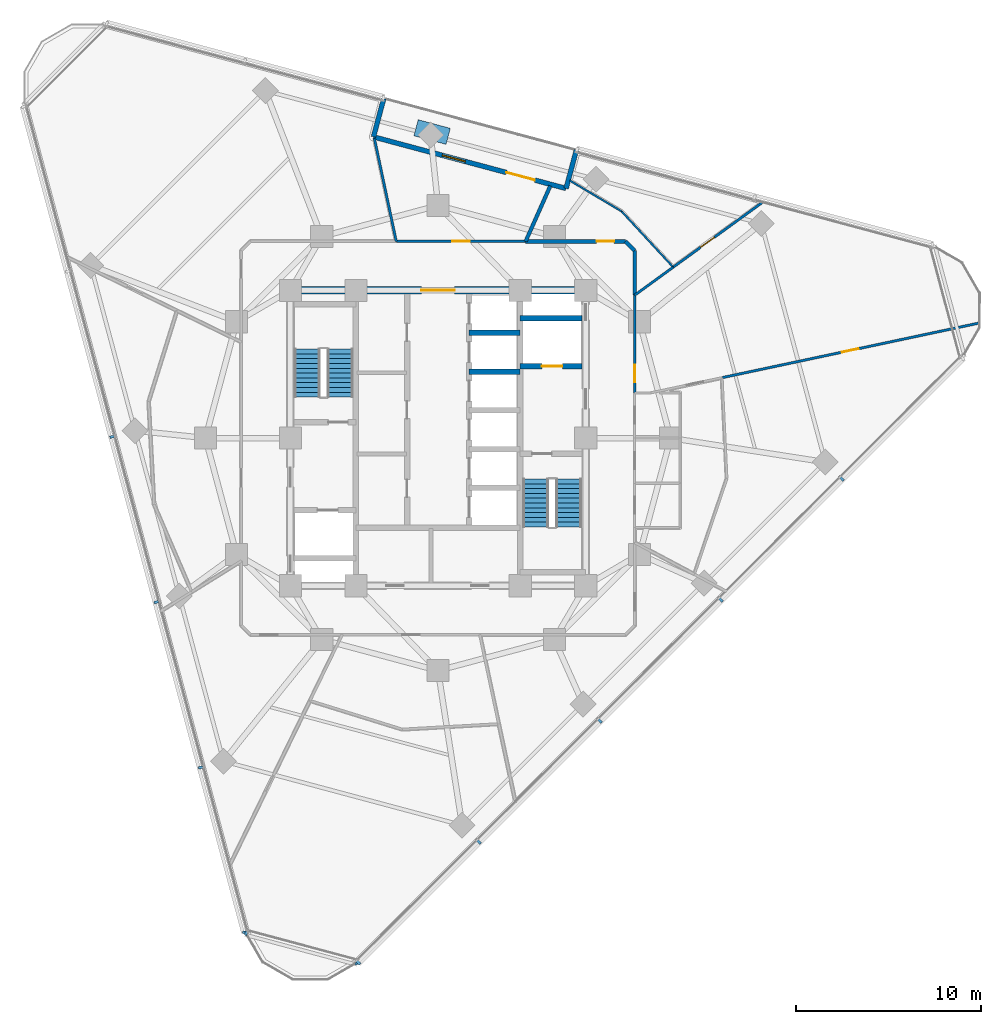
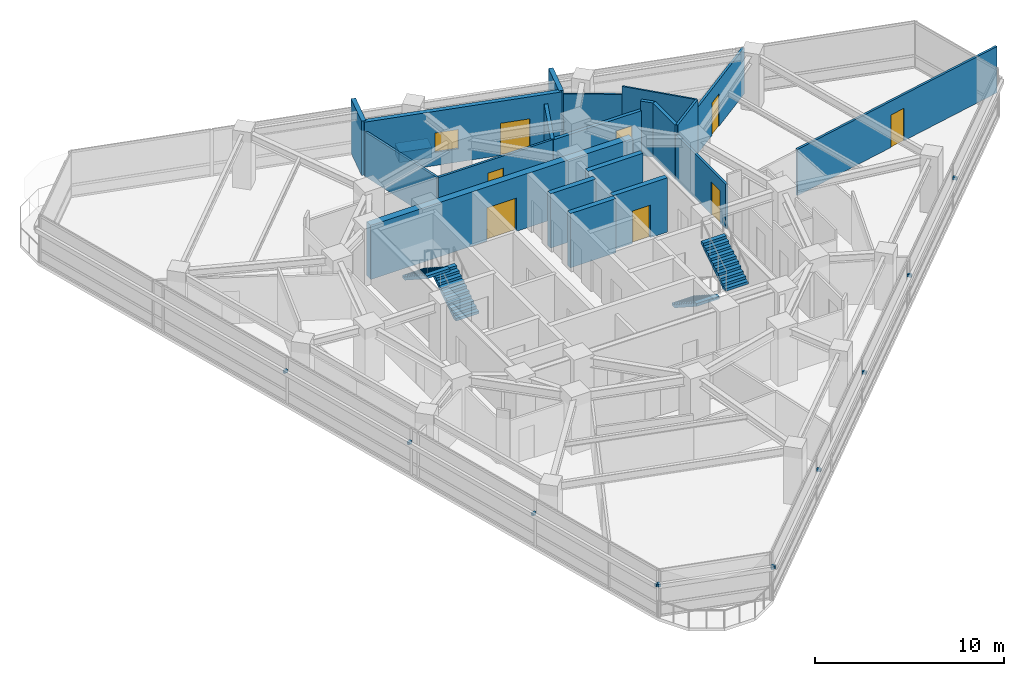
# One storey, part 9 of 14: 20 walls, 12 discrete accessories, 8 doors, 4 stair flights, 1 window, 9 openings, 2 elements without a shape of their own.
"""IFC4 building model written with IfcOpenShell, lengths in metres."""

from ifc_helpers import new_model, si_unit, direction, frame, frame_2d, origin, origin_2d, place, context, subcontext, project, spatial, polyline, rectangle, outline, extrude, material, layer, layer_set, type_object, element, fill, aggregate, save


model = new_model("IFC4")

# Units and contexts
model_context = context("Model", 3, precision=1e-05, world=origin(), true_north=direction((0.0, 1.0)))
body_context = subcontext(model_context, "Body", "Model", "MODEL_VIEW")
ifc_project = project(units=[si_unit("LENGTHUNIT", "METRE"), si_unit("AREAUNIT", "SQUARE_METRE"), si_unit("VOLUMEUNIT", "CUBIC_METRE"), si_unit("PLANEANGLEUNIT", "RADIAN"), si_unit("MASSUNIT", "GRAM", prefix="KILO")], contexts=[model_context])

# Site, building, storey
site_placement = place(None, origin())
site = spatial("IfcSite", under=ifc_project, at=site_placement, CompositionType="ELEMENT")
building_placement = place(site_placement, origin())
building = spatial("IfcBuilding", under=site, at=building_placement, Name="Terralouvre Media Tower", CompositionType="ELEMENT")
storey_placement = place(building_placement, frame((0.0, 0.0, 191.60009765625)))
storey = spatial("IfcBuildingStorey", under=building, at=storey_placement, Name="L49", CompositionType="ELEMENT", Elevation=191.60009765625)

# Wall, opening, door
ifc_material_1 = material(Name="Concrete C50/60", Category="concrete")
ifc_layer_1 = layer(ifc_material_1, 0.300048828125, Name="Core Internal Shaft Wall CW-300")
ifc_layer_set_1 = layer_set([ifc_layer_1], Name="Concrete C50/60")
wall_type_1 = type_object("IfcWallType", Name="Core Internal Shaft Wall CW-300", PredefinedType="SHEAR", material=ifc_layer_set_1)
wall_1_placement = place(storey_placement, frame((4.449951171875, 3.89990234375, 0.0), z_axis=(0.0, 0.0, 1.0), x_axis=(1.0, 0.0, 0.0)))
wall_1 = element("IfcWall", 1, at=wall_1_placement, inside=storey, type_object=wall_type_1, Name="L49 Core Shaft Wall FF2S", PredefinedType="SHEAR", context=body_context, shape_type="SweptSolid", body=[
    extrude(rectangle(XDim=3.340087890625, YDim=0.300048828125, at=frame_2d((1.669921875, 0.0))), origin(), (0.0, 0.0, 1.0), 3.5),
])
opening_1_placement = place(wall_1_placement, frame((1.179931640625, 0.0, 0.0)))
opening_1 = element("IfcOpeningElement", 2, at=opening_1_placement, cuts=wall_1, Name="Opening LD-FF", PredefinedType="OPENING", context=body_context, shape_type="SweptSolid", body=[
    extrude(rectangle(XDim=1.10009765625, YDim=2.10009765625, at=frame_2d((0.550048828125, 1.050048828125))), frame((0.0, 0.159912109375, 0.0), z_axis=(0.0, -1.0, 0.0), x_axis=(1.0, 0.0, 0.0)), (0.0, 0.0, 1.0), 0.320068359375),
])
ifc_material_2 = material(Name="Stainless steel 316 handrail and balustrade", Category="steel")
door_type_1 = type_object("IfcDoorType", Name="Firefighting Lift Sliding Landing Door LD-FF", OperationType="SLIDING_TO_LEFT", PredefinedType="DOOR", material=ifc_material_2)
door_1_placement = place(opening_1_placement, origin())
door_1 = element("IfcDoor", 3, at=door_1_placement, inside=storey, type_object=door_type_1, Name="L49 Firefighting Lift FFL-02 Landing Door", OperationType="SLIDING_TO_LEFT", OverallHeight=2.10009765625, OverallWidth=1.10009765625, PredefinedType="DOOR", context=body_context, shape_type="SweptSolid", body=[
    extrude(rectangle(XDim=1.10009765625, YDim=2.10009765625, at=frame_2d((0.550048828125, 1.050048828125))), frame((0.0, 0.02490234375, 0.0), z_axis=(0.0, -1.0, 0.0), x_axis=(1.0, 0.0, 0.0)), (0.0, 0.0, 1.0), 0.050048828125),
])
fill(opening_1, door_1)

# Walls
wall_2_placement = place(storey_placement, frame((4.449951171875, 6.5, 0.0), z_axis=(0.0, 0.0, 1.0), x_axis=(1.0, 0.0, 0.0)))
element("IfcWall", 4, at=wall_2_placement, inside=storey, type_object=wall_type_1, Name="L49 Core Shaft Wall FF2N", PredefinedType="SHEAR", context=body_context, shape_type="SweptSolid", body=[
    extrude(rectangle(XDim=3.340087890625, YDim=0.300048828125, at=frame_2d((1.669921875, 0.0))), origin(), (0.0, 0.0, 1.0), 3.5),
])
for number, where, z_axis, x_axis, name in (
    (5, (1.679931640625, 3.60009765625, 0.0), (0.0, 0.0, 1.0), (1.0, 0.0, 0.0), "L49 Core Shaft Wall PLMD1"),
    (6, (1.679931640625, 5.699951171875, 0.0), (0.0, 0.0, 1.0), (1.0, 0.0, 0.0), "L49 Core Shaft Wall PLMD2"),
):
    element("IfcWall", number, at=place(storey_placement, frame(where, z_axis=z_axis, x_axis=x_axis)), inside=storey, type_object=wall_type_1, Name=name, PredefinedType="SHEAR", context=body_context, shape_type="SweptSolid", body=[
        extrude(rectangle(XDim=2.77001953125, YDim=0.300048828125, at=frame_2d((1.385009765625, 0.0))), origin(), (0.0, 0.0, 1.0), 3.5),
    ])

# Wall, opening, door
ifc_material_3 = material(Name="Concrete C60/75", Category="concrete")
ifc_layer_2 = layer(ifc_material_3, 0.419921875, Name="Core Reinforced Concrete Shear Wall CW-420")
ifc_layer_set_2 = layer_set([ifc_layer_2], Name="Concrete C60/75")
wall_type_2 = type_object("IfcWallType", Name="Core Reinforced Concrete Shear Wall CW-420", PredefinedType="SHEAR", material=ifc_layer_set_2)
wall_3_placement = place(storey_placement, frame((-8.0, 8.0, 0.0), z_axis=(0.0, 0.0, 1.0), x_axis=(1.0, 0.0, 0.0)))
wall_3 = element("IfcWall", 7, at=wall_3_placement, inside=storey, type_object=wall_type_2, Name="L49 N Core Shear Wall", PredefinedType="SHEAR", context=body_context, shape_type="SweptSolid", body=[
    extrude(rectangle(XDim=16.0, YDim=0.419921875, at=frame_2d((8.0, 0.0))), origin(), (0.0, 0.0, 1.0), 3.5),
])
opening_2_placement = place(wall_3_placement, frame((7.10009765625, 0.0, 0.0)))
opening_2 = element("IfcOpeningElement", 8, at=opening_2_placement, cuts=wall_3, Name="Opening FD-03", PredefinedType="OPENING", context=body_context, shape_type="SweptSolid", body=[
    extrude(rectangle(XDim=1.800048828125, YDim=2.14990234375, at=frame_2d((0.89990234375, 1.074951171875))), frame((0.0, 0.219970703125, 0.0), z_axis=(0.0, -1.0, 0.0), x_axis=(1.0, 0.0, 0.0)), (0.0, 0.0, 1.0), 0.43994140625),
])
ifc_material_4 = material(Name="Galvanised steel fire-resisting leaf", Category="steel")
door_type_2 = type_object("IfcDoorType", Name="Corridor Smoke-Control Double Door FD-03", OperationType="DOUBLE_DOOR_SINGLE_SWING", PredefinedType="DOOR", material=ifc_material_4)
door_2_placement = place(opening_2_placement, origin())
door_2 = element("IfcDoor", 9, at=door_2_placement, inside=storey, type_object=door_type_2, Name="L49 Central Lift Lobby Portal Door", OperationType="DOUBLE_DOOR_SINGLE_SWING", OverallHeight=2.14990234375, OverallWidth=1.800048828125, PredefinedType="DOOR", context=body_context, shape_type="SweptSolid", body=[
    extrude(rectangle(XDim=1.800048828125, YDim=2.14990234375, at=frame_2d((0.89990234375, 1.074951171875))), frame((0.0, 0.02490234375, 0.0), z_axis=(0.0, -1.0, 0.0), x_axis=(1.0, 0.0, 0.0)), (0.0, 0.0, 1.0), 0.050048828125),
])
fill(opening_2, door_2)

# Walls
ifc_material_5 = material(Name="Low-iron laminated double glazing with solar-control coating", Category="glass")
ifc_layer_3 = layer(ifc_material_5, 0.10009765625, Name="Demountable Glazed Office Partition PT-GL100")
ifc_layer_set_3 = layer_set([ifc_layer_3], Name="Low-iron laminated double glazing with solar-control coating")
wall_type_3 = type_object("IfcWallType", Name="Demountable Glazed Office Partition PT-GL100", PredefinedType="MOVABLE", material=ifc_layer_set_3)
wall_4_placement = place(storey_placement, frame((7.133544921875, 13.9501953125, 0.0), z_axis=(0.0, 0.0, 1.0), x_axis=(0.859456962413, -0.511208108074, 0.0)))
element("IfcWall", 10, at=wall_4_placement, inside=storey, type_object=wall_type_3, Name="L49 Interior Partition 049", PredefinedType="MOVABLE", context=body_context, shape_type="SweptSolid", body=[
    extrude(rectangle(XDim=3.26904296875, YDim=0.10009765625, at=frame_2d((1.634521484375, 0.0))), origin(), (0.0, 0.0, 1.0), 2.98486328125),
])
wall_5_placement = place(storey_placement, frame((9.943115234375, 12.279052734375, 0.0), z_axis=(0.0, 0.0, 1.0), x_axis=(0.678723214903, -0.734394170423, 0.0)))
element("IfcWall", 11, at=wall_5_placement, inside=storey, type_object=wall_type_3, Name="L49 Interior Partition 050", PredefinedType="MOVABLE", context=body_context, shape_type="SweptSolid", body=[
    extrude(rectangle(XDim=4.117919921875, YDim=0.10009765625, at=frame_2d((2.05908203125, 0.0))), origin(), (0.0, 0.0, 1.0), 3.5),
])
ifc_material_6 = material(Name="Fire-rated gypsum board drywall partition")
ifc_layer_4 = layer(ifc_material_6, 0.199951171875, Name="Fire-Rated Shaft and Lobby Partition FW-200")
ifc_layer_set_4 = layer_set([ifc_layer_4], Name="Fire-rated gypsum board drywall partition")
wall_type_4 = type_object("IfcWallType", Name="Fire-Rated Shaft and Lobby Partition FW-200", PredefinedType="SOLIDWALL", material=ifc_layer_set_4)
wall_6_placement = place(storey_placement, frame((10.64990234375, 7.738037109375, 0.0), z_axis=(0.0, 0.0, 1.0), x_axis=(0.0, 1.0, 0.0)))
element("IfcWall", 12, at=wall_6_placement, inside=storey, type_object=wall_type_4, Name="L49 Interior Partition 014", PredefinedType="SOLIDWALL", context=body_context, shape_type="SweptSolid", body=[
    extrude(rectangle(XDim=2.411865234375, YDim=0.199951171875, at=frame_2d((1.2060546875, 0.0))), origin(), (0.0, 0.0, 1.0), 3.5),
])
wall_7_placement = place(storey_placement, frame((10.64990234375, 10.14990234375, 0.0), z_axis=(0.0, 0.0, 1.0), x_axis=(-0.707106781187, 0.707106781187, 0.0)))
element("IfcWall", 13, at=wall_7_placement, inside=storey, type_object=wall_type_4, Name="L49 Interior Partition 015", PredefinedType="SOLIDWALL", context=body_context, shape_type="SweptSolid", body=[
    extrude(rectangle(XDim=0.70703125, YDim=0.199951171875, at=frame_2d((0.353515625, 0.0))), origin(), (0.0, 0.0, 1.0), 3.5),
])

# Wall, opening, door
wall_8_placement = place(storey_placement, frame((10.14990234375, 10.64990234375, 0.0), z_axis=(0.0, 0.0, 1.0), x_axis=(-1.0, 0.0, 0.0)))
wall_8 = element("IfcWall", 14, at=wall_8_placement, inside=storey, type_object=wall_type_4, Name="L49 Interior Partition 016", PredefinedType="SOLIDWALL", context=body_context, shape_type="SweptSolid", body=[
    extrude(rectangle(XDim=5.407958984375, YDim=0.199951171875, at=frame_2d((2.7041015625, 0.0))), origin(), (0.0, 0.0, 1.0), 2.885009765625),
])
opening_3_placement = place(wall_8_placement, frame((0.606689453125, 0.0, 0.0)))
opening_3 = element("IfcOpeningElement", 15, at=opening_3_placement, cuts=wall_8, Name="Opening FD-02-95X210", PredefinedType="OPENING", context=body_context, shape_type="SweptSolid", body=[
    extrude(rectangle(XDim=0.949951171875, YDim=2.10009765625, at=frame_2d((0.47509765625, 1.050048828125))), frame((0.0, 0.10986328125, 0.0), z_axis=(0.0, -1.0, 0.0), x_axis=(1.0, 0.0, 0.0)), (0.0, 0.0, 1.0), 0.219970703125),
])
ifc_material_7 = material(Name="Galvanised steel fire-resisting leaf", Category="steel")
door_type_3 = type_object("IfcDoorType", Name="Plant and Riser Fire Door FD-02 (950x2100)", OperationType="NOTDEFINED", PredefinedType="DOOR", material=ifc_material_7)
door_3_placement = place(opening_3_placement, origin())
door_3 = element("IfcDoor", 16, at=door_3_placement, inside=storey, type_object=door_type_3, Name="L49 Amplifier Rack Switch Room 10 Door", OperationType="SINGLE_SWING_RIGHT", OverallHeight=2.10009765625, OverallWidth=0.949951171875, PredefinedType="DOOR", context=body_context, shape_type="SweptSolid", body=[
    extrude(rectangle(XDim=0.949951171875, YDim=2.10009765625, at=frame_2d((0.47509765625, 1.050048828125))), frame((0.0, 0.02490234375, 0.0), z_axis=(0.0, -1.0, 0.0), x_axis=(1.0, 0.0, 0.0)), (0.0, 0.0, 1.0), 0.050048828125),
])
fill(opening_3, door_3)

# Wall
wall_9_placement = place(storey_placement, frame((6.08349609375, 13.6640625, 0.0), z_axis=(0.0, 0.0, 1.0), x_axis=(-0.406625887871, -0.913594760993, 0.0)))
element("IfcWall", 17, at=wall_9_placement, inside=storey, type_object=wall_type_4, Name="L49 Interior Partition 051", PredefinedType="SOLIDWALL", context=body_context, shape_type="SweptSolid", body=[
    extrude(rectangle(XDim=3.29931640625, YDim=0.199951171875, at=frame_2d((1.649658203125, 0.0))), origin(), (0.0, 0.0, 1.0), 2.885009765625),
])

# Wall, opening, door
ifc_material_8 = material(Name="Fire-rated gypsum board drywall partition")
ifc_layer_5 = layer(ifc_material_8, 0.135009765625, Name="Newsroom Acoustic Partition PT-135")
ifc_layer_set_5 = layer_set([ifc_layer_5], Name="Fire-rated gypsum board drywall partition")
wall_type_5 = type_object("IfcWallType", Name="Newsroom Acoustic Partition PT-135", PredefinedType="PARTITIONING", material=ifc_layer_set_5)
wall_10_placement = place(storey_placement, frame((10.64990234375, 2.449951171875, 0.0), z_axis=(0.0, 0.0, 1.0), x_axis=(0.0, 1.0, 0.0)))
wall_10 = element("IfcWall", 18, at=wall_10_placement, inside=storey, type_object=wall_type_5, Name="L49 Interior Partition 013", PredefinedType="PARTITIONING", context=body_context, shape_type="SweptSolid", body=[
    extrude(rectangle(XDim=5.2880859375, YDim=0.135009765625, at=frame_2d((2.64404296875, 0.0))), origin(), (0.0, 0.0, 1.0), 2.885009765625),
])
opening_4_placement = place(wall_10_placement, frame((0.58251953125, 0.0, 0.0)))
opening_4 = element("IfcOpeningElement", 19, at=opening_4_placement, cuts=wall_10, Name="Opening ID-02-95X210", PredefinedType="OPENING", context=body_context, shape_type="SweptSolid", body=[
    extrude(rectangle(XDim=0.949951171875, YDim=2.10009765625, at=frame_2d((0.47509765625, 1.050048828125))), frame((0.0, 0.077392578125, 0.0), z_axis=(0.0, -1.0, 0.0), x_axis=(1.0, 0.0, 0.0)), (0.0, 0.0, 1.0), 0.155029296875),
])
ifc_material_9 = material(Name="Engineered hardwood acoustic timber leaf", Category="wood")
door_type_4 = type_object("IfcDoorType", Name="Office and Meeting Room Door ID-02 (950x2100)", OperationType="NOTDEFINED", PredefinedType="DOOR", material=ifc_material_9)
door_4_placement = place(opening_4_placement, origin())
door_4 = element("IfcDoor", 20, at=door_4_placement, inside=storey, type_object=door_type_4, Name="L49 Audio Tape Archive Storage 8 Door", OperationType="SINGLE_SWING_LEFT", OverallHeight=2.10009765625, OverallWidth=0.949951171875, PredefinedType="DOOR", context=body_context, shape_type="SweptSolid", body=[
    extrude(rectangle(XDim=0.949951171875, YDim=2.10009765625, at=frame_2d((0.47509765625, 1.050048828125))), frame((0.0, 0.02490234375, 0.0), z_axis=(0.0, -1.0, 0.0), x_axis=(1.0, 0.0, 0.0)), (0.0, 0.0, 1.0), 0.050048828125),
])
fill(opening_4, door_4)

wall_11_placement = place(storey_placement, frame((4.741943359375, 10.64990234375, 0.0), z_axis=(0.0, 0.0, 1.0), x_axis=(-1.0, 0.0, 0.0)))
wall_11 = element("IfcWall", 21, at=wall_11_placement, inside=storey, type_object=wall_type_5, Name="L49 Interior Partition 017", PredefinedType="PARTITIONING", context=body_context, shape_type="SweptSolid", body=[
    extrude(rectangle(XDim=7.005859375, YDim=0.135009765625, at=frame_2d((3.5029296875, 0.0))), origin(), (0.0, 0.0, 1.0), 2.885009765625),
])
opening_5_placement = place(wall_11_placement, frame((3.028076171875, 0.0, 0.0)))
opening_5 = element("IfcOpeningElement", 22, at=opening_5_placement, cuts=wall_11, Name="Opening ID-02-95X210", PredefinedType="OPENING", context=body_context, shape_type="SweptSolid", body=[
    extrude(rectangle(XDim=0.949951171875, YDim=2.10009765625, at=frame_2d((0.47509765625, 1.050048828125))), frame((0.0, 0.077392578125, 0.0), z_axis=(0.0, -1.0, 0.0), x_axis=(1.0, 0.0, 0.0)), (0.0, 0.0, 1.0), 0.155029296875),
])
door_5_placement = place(opening_5_placement, origin())
door_5 = element("IfcDoor", 23, at=door_5_placement, inside=storey, type_object=door_type_4, Name="L49 Editorial Collaborative Open Office 11 Door", OperationType="SINGLE_SWING_LEFT", OverallHeight=2.10009765625, OverallWidth=0.949951171875, PredefinedType="DOOR", context=body_context, shape_type="SweptSolid", body=[
    extrude(rectangle(XDim=0.949951171875, YDim=2.10009765625, at=frame_2d((0.47509765625, 1.050048828125))), frame((0.0, 0.02490234375, 0.0), z_axis=(0.0, -1.0, 0.0), x_axis=(1.0, 0.0, 0.0)), (0.0, 0.0, 1.0), 0.050048828125),
])
fill(opening_5, door_5)

wall_12_placement = place(storey_placement, frame((29.2705078125, 6.221435546875, 0.0), z_axis=(0.0, 0.0, 1.0), x_axis=(-0.978151114267, -0.207895160259, 0.0)))
wall_12 = element("IfcWall", 24, at=wall_12_placement, inside=storey, type_object=wall_type_5, Name="L49 Interior Partition 045", PredefinedType="PARTITIONING", context=body_context, shape_type="SweptSolid", body=[
    extrude(rectangle(XDim=14.19677734375, YDim=0.135009765625, at=frame_2d((7.098388671875, 0.0))), origin(), (0.0, 0.0, 1.0), 2.98486328125),
])
opening_6_placement = place(wall_12_placement, frame((6.638427734375, 0.0, 0.0)))
opening_6 = element("IfcOpeningElement", 25, at=opening_6_placement, cuts=wall_12, Name="Opening ID-03-92X210", PredefinedType="OPENING", context=body_context, shape_type="SweptSolid", body=[
    extrude(rectangle(XDim=0.919921875, YDim=2.10009765625, at=frame_2d((0.4599609375, 1.050048828125))), frame((0.0, 0.077392578125, 0.0), z_axis=(0.0, -1.0, 0.0), x_axis=(1.0, 0.0, 0.0)), (0.0, 0.0, 1.0), 0.155029296875),
])
ifc_material_10 = material(Name="Engineered hardwood acoustic timber leaf", Category="wood")
door_type_5 = type_object("IfcDoorType", Name="Accessible Restroom and Suite Door ID-03 (920x2100)", OperationType="NOTDEFINED", PredefinedType="DOOR", material=ifc_material_10)
door_6_placement = place(opening_6_placement, origin())
door_6 = element("IfcDoor", 26, at=door_6_placement, inside=storey, type_object=door_type_5, Name="L49 Microphone Locker Store 7 Door", OperationType="SINGLE_SWING_LEFT", OverallHeight=2.10009765625, OverallWidth=0.919921875, PredefinedType="DOOR", context=body_context, shape_type="SweptSolid", body=[
    extrude(rectangle(XDim=0.919921875, YDim=2.10009765625, at=frame_2d((0.4599609375, 1.050048828125))), frame((0.0, 0.02490234375, 0.0), z_axis=(0.0, -1.0, 0.0), x_axis=(1.0, 0.0, 0.0)), (0.0, 0.0, 1.0), 0.050048828125),
])
fill(opening_6, door_6)

wall_13_placement = place(storey_placement, frame((17.616943359375, 12.799560546875, 0.0), z_axis=(0.0, 0.0, 1.0), x_axis=(-0.809021342768, -0.587779267196, 0.0)))
wall_13 = element("IfcWall", 27, at=wall_13_placement, inside=storey, type_object=wall_type_5, Name="L49 Interior Partition 047", PredefinedType="PARTITIONING", context=body_context, shape_type="SweptSolid", body=[
    extrude(rectangle(XDim=6.030517578125, YDim=0.135009765625, at=frame_2d((3.01513671875, 0.0))), origin(), (0.0, 0.0, 1.0), 2.98486328125),
])
opening_7_placement = place(wall_13_placement, frame((3.279052734375, 0.0, 0.0)))
opening_7 = element("IfcOpeningElement", 28, at=opening_7_placement, cuts=wall_13, Name="Opening ID-03-92X210", PredefinedType="OPENING", context=body_context, shape_type="SweptSolid", body=[
    extrude(rectangle(XDim=0.919921875, YDim=2.10009765625, at=frame_2d((0.4599609375, 1.050048828125))), frame((0.0, 0.077392578125, 0.0), z_axis=(0.0, -1.0, 0.0), x_axis=(1.0, 0.0, 0.0)), (0.0, 0.0, 1.0), 0.155029296875),
])
door_7_placement = place(opening_7_placement, origin())
door_7 = element("IfcDoor", 29, at=door_7_placement, inside=storey, type_object=door_type_5, Name="L49 Program Schedule Briefing Room 9 Door", OperationType="SINGLE_SWING_RIGHT", OverallHeight=2.10009765625, OverallWidth=0.919921875, PredefinedType="DOOR", context=body_context, shape_type="SweptSolid", body=[
    extrude(rectangle(XDim=0.919921875, YDim=2.10009765625, at=frame_2d((0.4599609375, 1.050048828125))), frame((0.0, 0.02490234375, 0.0), z_axis=(0.0, -1.0, 0.0), x_axis=(1.0, 0.0, 0.0)), (0.0, 0.0, 1.0), 0.050048828125),
])
fill(opening_7, door_7)

# Walls
wall_14_placement = place(storey_placement, frame((12.738037109375, 9.2548828125, 0.0), z_axis=(0.0, 0.0, 1.0), x_axis=(-0.809067292609, -0.587716016483, 0.0)))
element("IfcWall", 30, at=wall_14_placement, inside=storey, type_object=wall_type_5, Name="L49 Interior Partition 048", PredefinedType="PARTITIONING", context=body_context, shape_type="SweptSolid", body=[
    extrude(rectangle(XDim=2.580810546875, YDim=0.135009765625, at=frame_2d((1.29052734375, 0.0))), origin(), (0.0, 0.0, 1.0), 3.5),
])
wall_15_placement = place(storey_placement, frame((-3.447265625, 16.2177734375, 0.0), z_axis=(0.0, 0.0, 1.0), x_axis=(0.207888507592, -0.978152528193, 0.0)))
element("IfcWall", 31, at=wall_15_placement, inside=storey, type_object=wall_type_5, Name="L49 Interior Partition 052", PredefinedType="PARTITIONING", context=body_context, shape_type="SweptSolid", body=[
    extrude(rectangle(XDim=5.692138671875, YDim=0.135009765625, at=frame_2d((2.84619140625, 0.0))), origin(), (0.0, 0.0, 1.0), 2.885009765625),
])

# Wall, openings, window, door
ifc_material_11 = material(Name="Kiln-fired architectural terracotta rainscreen cladding", Category="masonry")
ifc_layer_6 = layer(ifc_material_11, 0.260009765625, Name="Recessed Sky-Garden Acoustic Wall EW-SG260")
ifc_layer_set_6 = layer_set([ifc_layer_6], Name="Kiln-fired architectural terracotta rainscreen cladding")
wall_type_6 = type_object("IfcWallType", Name="Recessed Sky-Garden Acoustic Wall EW-SG260", PredefinedType="SOLIDWALL", material=ifc_layer_set_6)
wall_16_placement = place(storey_placement, frame((6.935302734375, 13.5185546875, 0.0), z_axis=(0.0, 0.0, 1.0), x_axis=(-0.965922825334, 0.258830244561, 0.0)))
wall_16 = element("IfcWall", 32, at=wall_16_placement, inside=storey, type_object=wall_type_6, Name="L49 SG Recessed Loggia Back Wall", PredefinedType="SOLIDWALL", context=body_context, shape_type="SweptSolid", body=[
    extrude(rectangle(XDim=10.800048828125, YDim=0.260009765625, at=frame_2d((5.39990234375, 0.0))), origin(), (0.0, 0.0, 1.0), 3.5),
])
opening_8_placement = place(wall_16_placement, frame((1.75, 0.0, 0.0)))
opening_8 = element("IfcOpeningElement", 33, at=opening_8_placement, cuts=wall_16, Name="Opening TD-01", PredefinedType="OPENING", context=body_context, shape_type="SweptSolid", body=[
    extrude(rectangle(XDim=1.60009765625, YDim=2.080078125, at=frame_2d((0.800048828125, 1.0400390625))), frame((0.0, 0.139892578125, 0.0), z_axis=(0.0, -1.0, 0.0), x_axis=(1.0, 0.0, 0.0)), (0.0, 0.0, 1.0), 0.280029296875),
])
opening_9_placement = place(wall_16_placement, frame((5.64990234375, 0.0, 0.85009765625)))
opening_9 = element("IfcOpeningElement", 34, at=opening_9_placement, cuts=wall_16, Name="Opening W-03", PredefinedType="OPENING", context=body_context, shape_type="SweptSolid", body=[
    extrude(rectangle(XDim=1.300048828125, YDim=1.25, at=frame_2d((0.64990234375, 0.625))), frame((0.0, 0.139892578125, 0.0), z_axis=(0.0, -1.0, 0.0), x_axis=(1.0, 0.0, 0.0)), (0.0, 0.0, 1.0), 0.280029296875),
])
ifc_material_12 = material(Name="Low-iron laminated double glazing with solar-control coating", Category="glass")
window_type = type_object("IfcWindowType", Name="Sky-Garden Loggia Window W-03", PartitioningType="SINGLE_PANEL", PredefinedType="WINDOW", material=ifc_material_12)
window_placement = place(opening_9_placement, origin())
window = element("IfcWindow", 35, at=window_placement, inside=storey, type_object=window_type, Name="L49 Pocket Loggia Window 1", OverallHeight=1.25, OverallWidth=1.300048828125, PartitioningType="SINGLE_PANEL", PredefinedType="WINDOW", context=body_context, shape_type="SweptSolid", body=[
    extrude(rectangle(XDim=1.300048828125, YDim=1.25, at=frame_2d((0.64990234375, 0.625))), frame((0.0, 0.030029296875, 0.0), z_axis=(0.0, -1.0, 0.0), x_axis=(1.0, 0.0, 0.0)), (0.0, 0.0, 1.0), 0.06005859375),
])
fill(opening_9, window)
ifc_material_13 = material(Name="Anodised extruded aluminium 6063-T6", Category="aluminium")
door_type_6 = type_object("IfcDoorType", Name="Sky-Garden Terrace Double Door TD-01", OperationType="DOUBLE_DOOR_SLIDING", PredefinedType="DOOR", material=ifc_material_13)
door_8_placement = place(opening_8_placement, frame((1.60009765625, 0.0, 0.0), z_axis=(0.0, 0.0, 1.0), x_axis=(-1.0, 0.0, 0.0)))
door_8 = element("IfcDoor", 36, at=door_8_placement, inside=storey, type_object=door_type_6, Name="L49 Sky-Garden Terrace Door", OperationType="DOUBLE_DOOR_SLIDING", OverallHeight=2.080078125, OverallWidth=1.60009765625, PredefinedType="DOOR", context=body_context, shape_type="SweptSolid", body=[
    extrude(rectangle(XDim=1.60009765625, YDim=2.080078125, at=frame_2d((0.800048828125, 1.0400390625))), frame((0.0, 0.02490234375, 0.0), z_axis=(0.0, -1.0, 0.0), x_axis=(1.0, 0.0, 0.0)), (0.0, 0.0, 1.0), 0.050048828125),
])
fill(opening_8, door_8)

# Walls
wall_17_placement = place(storey_placement, frame((7.49169921875, 15.595458984375, 0.0), z_axis=(0.0, 0.0, 1.0), x_axis=(-0.258772030677, -0.96593842254, 0.0)))
element("IfcWall", 37, at=wall_17_placement, inside=storey, type_object=wall_type_6, Name="L49 SG Pocket Left Cheek Wall", PredefinedType="SOLIDWALL", context=body_context, shape_type="SweptSolid", body=[
    extrude(rectangle(XDim=2.150146484375, YDim=0.260009765625, at=frame_2d((1.0751953125, 0.0))), origin(), (0.0, 0.0, 1.0), 3.5),
])
wall_18_placement = place(storey_placement, frame((-3.496826171875, 16.31396484375, 0.0), z_axis=(0.0, 0.0, 1.0), x_axis=(0.258800415469, 0.965930817892, 0.0)))
element("IfcWall", 38, at=wall_18_placement, inside=storey, type_object=wall_type_6, Name="L49 SG Pocket Right Cheek Wall", PredefinedType="SOLIDWALL", context=body_context, shape_type="SweptSolid", body=[
    extrude(rectangle(XDim=2.14990234375, YDim=0.260009765625, at=frame_2d((1.074951171875, 0.0))), origin(), (0.0, 0.0, 1.0), 3.5),
])

# Stair, stair flights
ifc_material_14 = material(Name="Concrete C45/55", Category="concrete")
stair_type_1 = type_object("IfcStairType", Name="Dogleg Stair Assembly ST-01", PredefinedType="HALF_TURN_STAIR", material=ifc_material_14)
stair_1_placement = place(storey_placement, origin())
stair_1 = element("IfcStair", 39, at=stair_1_placement, inside=storey, type_object=stair_type_1, Name="L49 Core Pressurised Exit Stair ST-01", PredefinedType="HALF_TURN_STAIR")
ifc_material_15 = material(Name="Concrete C45/55", Category="concrete")
stair_flight_type = type_object("IfcStairFlightType", Name="Reinforced Concrete Stair Flight SF-RC1", PredefinedType="STRAIGHT", material=ifc_material_15)
stair_flight_1_placement = place(storey_placement, frame((-5.300048828125, 2.219970703125, 0.0), z_axis=(0.0, 0.0, 1.0), x_axis=(0.0, 1.0, 0.0)))
stair_flight_1 = element("IfcStairFlight", 40, at=stair_flight_1_placement, type_object=stair_flight_type, Name="ST-01 flight 1", NumberOfRisers=11, NumberOfTreads=10, PredefinedType="STRAIGHT", RiserHeight=0.168181818, TreadLength=0.26, context=body_context, shape_type="SweptSolid", body=[
    extrude(outline(polyline([(0.0, 0.0), (0.0, 0.168212890625), (0.260009765625, 0.168212890625), (0.260009765625, 0.33642578125), (0.52001953125, 0.33642578125), (0.52001953125, 0.504638671875), (0.780029296875, 0.504638671875), (0.780029296875, 0.672607421875), (1.0400390625, 0.672607421875), (1.0400390625, 0.8408203125), (1.300048828125, 0.8408203125), (1.300048828125, 1.009033203125), (1.56005859375, 1.009033203125), (1.56005859375, 1.17724609375), (1.820068359375, 1.17724609375), (1.820068359375, 1.345458984375), (2.080078125, 1.345458984375), (2.080078125, 1.513671875), (2.340087890625, 1.513671875), (2.340087890625, 1.681884765625), (2.60009765625, 1.681884765625), (2.60009765625, 1.85009765625), (2.60009765625, 1.503173828125), (0.27587890625, 0.0), (0.0, 0.0)])), frame((0.0, 0.699951171875, 0.0), z_axis=(0.0, -1.0, 0.0), x_axis=(1.0, 0.0, 0.0)), (0.0, 0.0, 1.0), 1.39990234375),
])
stair_flight_2_placement = place(storey_placement, frame((-7.080078125, 4.820068359375, 1.849853515625), z_axis=(0.0, 0.0, 1.0), x_axis=(0.0, -1.0, 0.0)))
stair_flight_2 = element("IfcStairFlight", 41, at=stair_flight_2_placement, type_object=stair_flight_type, Name="ST-01 flight 2", NumberOfRisers=11, NumberOfTreads=10, PredefinedType="STRAIGHT", RiserHeight=0.168181818, TreadLength=0.26, context=body_context, shape_type="SweptSolid", body=[
    extrude(outline(polyline([(0.0, 0.0), (0.0, 0.168212890625), (0.260009765625, 0.168212890625), (0.260009765625, 0.33642578125), (0.52001953125, 0.33642578125), (0.52001953125, 0.504638671875), (0.780029296875, 0.504638671875), (0.780029296875, 0.672607421875), (1.0400390625, 0.672607421875), (1.0400390625, 0.8408203125), (1.300048828125, 0.8408203125), (1.300048828125, 1.009033203125), (1.56005859375, 1.009033203125), (1.56005859375, 1.17724609375), (1.820068359375, 1.17724609375), (1.820068359375, 1.345458984375), (2.080078125, 1.345458984375), (2.080078125, 1.513671875), (2.340087890625, 1.513671875), (2.340087890625, 1.681884765625), (2.60009765625, 1.681884765625), (2.60009765625, 1.85009765625), (2.60009765625, 1.503173828125), (0.27587890625, 0.0), (0.0, 0.0)])), frame((0.0, 0.699951171875, 0.0), z_axis=(0.0, -1.0, 0.0), x_axis=(1.0, 0.0, 0.0)), (0.0, 0.0, 1.0), 1.39990234375),
])
aggregate(stair_1, [stair_flight_1, stair_flight_2])

ifc_material_16 = material(Name="Concrete C45/55", Category="concrete")
stair_type_2 = type_object("IfcStairType", Name="Dogleg Stair Assembly ST-02", PredefinedType="HALF_TURN_STAIR", material=ifc_material_16)
stair_2_placement = place(storey_placement, origin())
stair_2 = element("IfcStair", 42, at=stair_2_placement, inside=storey, type_object=stair_type_2, Name="L49 Core Pressurised Exit Stair ST-02", PredefinedType="HALF_TURN_STAIR")
stair_flight_3_placement = place(storey_placement, frame((5.300048828125, -2.219970703125, 0.0), z_axis=(0.0, 0.0, 1.0), x_axis=(0.0, -1.0, 0.0)))
stair_flight_3 = element("IfcStairFlight", 43, at=stair_flight_3_placement, type_object=stair_flight_type, Name="ST-02 flight 1", NumberOfRisers=11, NumberOfTreads=10, PredefinedType="STRAIGHT", RiserHeight=0.168181818, TreadLength=0.26, context=body_context, shape_type="SweptSolid", body=[
    extrude(outline(polyline([(0.0, 0.0), (0.0, 0.168212890625), (0.260009765625, 0.168212890625), (0.260009765625, 0.33642578125), (0.52001953125, 0.33642578125), (0.52001953125, 0.504638671875), (0.780029296875, 0.504638671875), (0.780029296875, 0.672607421875), (1.0400390625, 0.672607421875), (1.0400390625, 0.8408203125), (1.300048828125, 0.8408203125), (1.300048828125, 1.009033203125), (1.56005859375, 1.009033203125), (1.56005859375, 1.17724609375), (1.820068359375, 1.17724609375), (1.820068359375, 1.345458984375), (2.080078125, 1.345458984375), (2.080078125, 1.513671875), (2.340087890625, 1.513671875), (2.340087890625, 1.681884765625), (2.60009765625, 1.681884765625), (2.60009765625, 1.85009765625), (2.60009765625, 1.503173828125), (0.27587890625, 0.0), (0.0, 0.0)])), frame((0.0, 0.699951171875, 0.0), z_axis=(0.0, -1.0, 0.0), x_axis=(1.0, 0.0, 0.0)), (0.0, 0.0, 1.0), 1.39990234375),
])
stair_flight_4_placement = place(storey_placement, frame((7.080078125, -4.820068359375, 1.849853515625), z_axis=(0.0, 0.0, 1.0), x_axis=(0.0, 1.0, 0.0)))
stair_flight_4 = element("IfcStairFlight", 44, at=stair_flight_4_placement, type_object=stair_flight_type, Name="ST-02 flight 2", NumberOfRisers=11, NumberOfTreads=10, PredefinedType="STRAIGHT", RiserHeight=0.168181818, TreadLength=0.26, context=body_context, shape_type="SweptSolid", body=[
    extrude(outline(polyline([(0.0, 0.0), (0.0, 0.168212890625), (0.260009765625, 0.168212890625), (0.260009765625, 0.33642578125), (0.52001953125, 0.33642578125), (0.52001953125, 0.504638671875), (0.780029296875, 0.504638671875), (0.780029296875, 0.672607421875), (1.0400390625, 0.672607421875), (1.0400390625, 0.8408203125), (1.300048828125, 0.8408203125), (1.300048828125, 1.009033203125), (1.56005859375, 1.009033203125), (1.56005859375, 1.17724609375), (1.820068359375, 1.17724609375), (1.820068359375, 1.345458984375), (2.080078125, 1.345458984375), (2.080078125, 1.513671875), (2.340087890625, 1.513671875), (2.340087890625, 1.681884765625), (2.60009765625, 1.681884765625), (2.60009765625, 1.85009765625), (2.60009765625, 1.503173828125), (0.27587890625, 0.0), (0.0, 0.0)])), frame((0.0, 0.699951171875, 0.0), z_axis=(0.0, -1.0, 0.0), x_axis=(1.0, 0.0, 0.0)), (0.0, 0.0, 1.0), 1.39990234375),
])
aggregate(stair_2, [stair_flight_3, stair_flight_4])

# Discrete accessories
ifc_material_17 = material(Name="Anodised extruded aluminium 6063-T6", Category="aluminium")
discrete_accessory_type_1 = type_object("IfcDiscreteAccessoryType", Name="Mullion Stand-Off Baguette Fixing Bracket BK-01", PredefinedType="BRACKET", material=ifc_material_17)
for number, where, z_axis, x_axis, name in (
    (45, (-4.31298828125, -28.41552734375, 2.07373046875), (0.0, 0.0, 1.0), (0.707106781187, 0.707106781187, 0.0), "CW-L49-F0 Baguette Outrigger Bracket 1.01"),
    (46, (2.216796875, -21.8857421875, 2.07373046875), (0.0, 0.0, 1.0), (0.707106781187, 0.707106781187, 0.0), "CW-L49-F0 Baguette Outrigger Bracket 1.02"),
    (47, (8.77294921875, -15.329345703125, 2.07373046875), (0.0, 0.0, 1.0), (0.707106781187, 0.707106781187, 0.0), "CW-L49-F0 Baguette Outrigger Bracket 1.03"),
    (48, (15.329345703125, -8.77294921875, 2.07373046875), (0.0, 0.0, 1.0), (0.707106781187, 0.707106781187, 0.0), "CW-L49-F0 Baguette Outrigger Bracket 1.04"),
    (49, (21.8857421875, -2.216796875, 2.07373046875), (0.0, 0.0, 1.0), (0.707106781187, 0.707106781187, 0.0), "CW-L49-F0 Baguette Outrigger Bracket 1.05"),
    (50, (-17.662109375, 0.06689453125, 2.07373046875), (0.0, 0.0, 1.0), (0.25881903342, -0.96592582942, 0.0), "CW-L49-F2 Baguette Outrigger Bracket 1.03"),
    (51, (-15.262451171875, -8.88916015625, 2.07373046875), (0.0, 0.0, 1.0), (0.25881903342, -0.96592582942, 0.0), "CW-L49-F2 Baguette Outrigger Bracket 1.04"),
    (52, (-12.862548828125, -17.84521484375, 2.07373046875), (0.0, 0.0, 1.0), (0.25881903342, -0.96592582942, 0.0), "CW-L49-F2 Baguette Outrigger Bracket 1.05"),
    (53, (-10.472412109375, -26.764892578125, 2.07373046875), (0.0, 0.0, 1.0), (0.25881903342, -0.96592582942, 0.0), "CW-L49-F2 Baguette Outrigger Bracket 1.06"),
    (54, (-10.39306640625, -26.81982421875, 2.07373046875), (0.0, 0.0, 1.0), (0.965925911218, -0.258818728144, 0.0), "CW-L49-C0 Baguette Outrigger Bracket 1.01"),
    (55, (-4.4091796875, -28.42333984375, 2.07373046875), (0.0, 0.0, 1.0), (0.965925911218, -0.258818728144, 0.0), "CW-L49-C0 Baguette Outrigger Bracket 1.02"),
):
    element("IfcDiscreteAccessory", number, at=place(storey_placement, frame(where, z_axis=z_axis, x_axis=x_axis)), inside=storey, type_object=discrete_accessory_type_1, Name=name, PredefinedType="BRACKET", context=body_context, shape_type="SweptSolid", body=[
        extrude(rectangle(XDim=0.139892578125, YDim=0.239990234375, at=origin_2d()), origin(), (0.0, 0.0, 1.0), 0.179931640625),
    ])
ifc_material_18 = material(Name="Kiln-fired architectural terracotta rainscreen cladding", Category="masonry")
discrete_accessory_type_2 = type_object("IfcDiscreteAccessoryType", Name="Planted Tropical Garden Bed Planter PLT-01", PredefinedType="USERDEFINED", material=ifc_material_18)
discrete_accessory_placement = place(storey_placement, frame((-0.32080078125, 16.575927734375, -0.005126953125), z_axis=(0.0, 0.0, 1.0), x_axis=(-0.965925849201, 0.258818959596, 0.0)))
element("IfcDiscreteAccessory", 56, at=discrete_accessory_placement, inside=storey, type_object=discrete_accessory_type_2, Name="L49 SG Planted Garden Bed Planter", ObjectType="PLANTER", PredefinedType="USERDEFINED", context=body_context, shape_type="SweptSolid", body=[
    extrude(rectangle(XDim=1.800048828125, YDim=0.89990234375, at=origin_2d()), origin(), (0.0, 0.0, 1.0), 0.64990234375),
])

save(model, "model.ifc")
